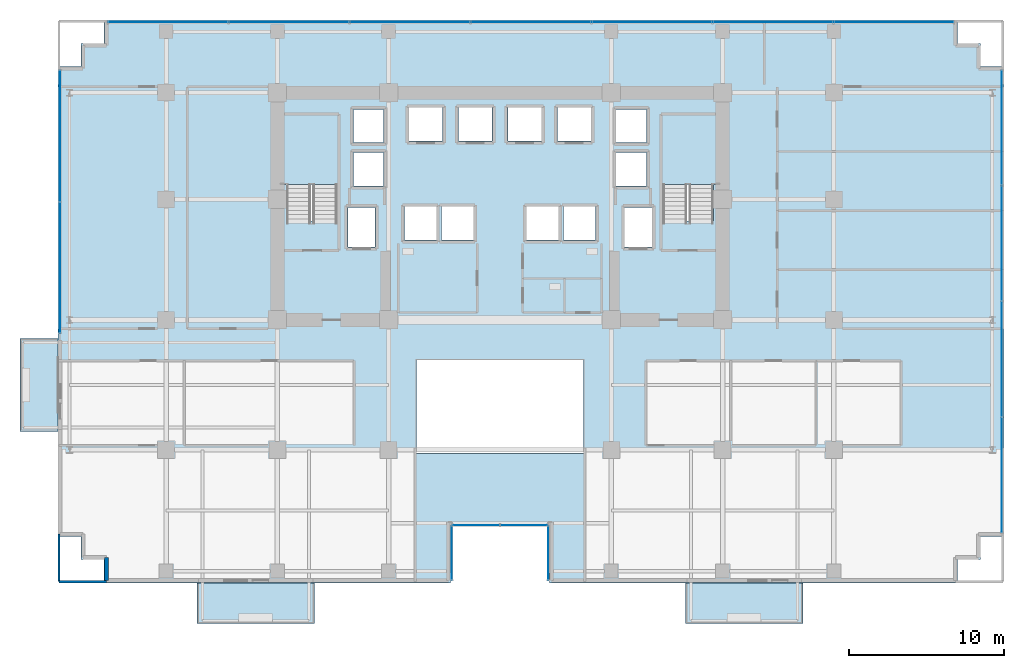
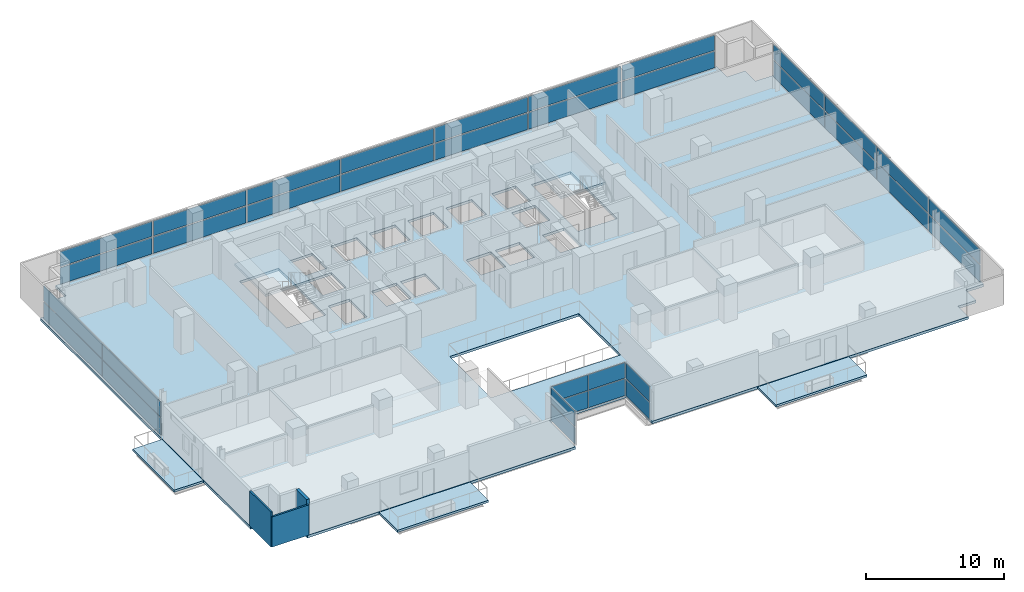
# One storey, part 23 of 32: 34 plates, 6 slabs, 3 walls, 8 elements without a shape of their own.
"""IFC4 building model written with IfcOpenShell, lengths in metres."""

from ifc_helpers import new_model, si_unit, direction, frame, frame_2d, origin, origin_2d, place, context, subcontext, project, spatial, polyline, rectangle, outline, extrude, source, transform, mapped, material, layer, layer_set, type_object, element, aggregate, save


model = new_model("IFC4")

# Units and contexts
model_context = context("Model", 3, precision=1e-05, world=origin(), true_north=direction((0.0, 1.0)))
body_context = subcontext(model_context, "Body", "Model", "MODEL_VIEW")
ifc_project = project(units=[si_unit("LENGTHUNIT", "METRE"), si_unit("AREAUNIT", "SQUARE_METRE"), si_unit("VOLUMEUNIT", "CUBIC_METRE"), si_unit("PLANEANGLEUNIT", "RADIAN"), si_unit("MASSUNIT", "GRAM", prefix="KILO")], contexts=[model_context])

# Site, building, storey
site_placement = place(None, origin())
site = spatial("IfcSite", under=ifc_project, at=site_placement, CompositionType="ELEMENT")
building_placement = place(site_placement, origin())
building = spatial("IfcBuilding", under=site, at=building_placement, Name="Zarnakvel Exchange Tower", CompositionType="ELEMENT")
storey_placement = place(building_placement, frame((0.0, 0.0, 73.60009765625)))
storey = spatial("IfcBuildingStorey", under=building, at=storey_placement, Name="L20", CompositionType="ELEMENT", Elevation=73.60009765625)

# Stair, slab
ifc_material_1 = material(Name="Concrete C40/50", Category="concrete")
stair_type = type_object("IfcStairType", Name="STR-01", PredefinedType="HALF_TURN_STAIR", material=ifc_material_1)
stair_1_placement = place(storey_placement, origin())
stair_1 = element("IfcStair", 1, at=stair_1_placement, inside=storey, type_object=stair_type, Name="L20 Protected Core Exit Stair ST-01", PredefinedType="HALF_TURN_STAIR")
ifc_layer_1 = layer(ifc_material_1, 0.199951171875)
ifc_layer_set_1 = layer_set([ifc_layer_1], Name="Concrete C40/50")
slab_type_1 = type_object("IfcSlabType", Name="LDG-01", PredefinedType="LANDING", material=ifc_layer_set_1)
slab_1_placement = place(storey_placement, frame((0.0, 0.0, 1.449951171875)))
slab_1 = element("IfcSlab", 2, at=slab_1_placement, type_object=slab_type_1, Name="ST-01 landing 1", PredefinedType="LANDING", context=body_context, shape_type="SweptSolid", body=[
    extrude(outline(polyline([(-14.18994140625, 7.570068359375), (-10.4599609375, 7.570068359375), (-10.4599609375, 12.080078125), (-14.18994140625, 12.080078125), (-14.18994140625, 7.570068359375)])), origin(), (0.0, 0.0, 1.0), 0.199951171875),
])
aggregate(stair_1, [slab_1])

stair_2_placement = place(storey_placement, origin())
stair_2 = element("IfcStair", 3, at=stair_2_placement, inside=storey, type_object=stair_type, Name="L20 Protected Core Exit Stair ST-02", PredefinedType="HALF_TURN_STAIR")
slab_2_placement = place(storey_placement, frame((0.0, 0.0, 1.449951171875)))
slab_2 = element("IfcSlab", 4, at=slab_2_placement, type_object=slab_type_1, Name="ST-02 landing 1", PredefinedType="LANDING", context=body_context, shape_type="SweptSolid", body=[
    extrude(outline(polyline([(10.4599609375, 7.570068359375), (14.18994140625, 7.570068359375), (14.18994140625, 12.080078125), (10.4599609375, 12.080078125), (10.4599609375, 7.570068359375)])), origin(), (0.0, 0.0, 1.0), 0.199951171875),
])
aggregate(stair_2, [slab_2])

# Slabs
ifc_layer_2 = layer(ifc_material_1, 0.22509765625)
ifc_layer_set_2 = layer_set([ifc_layer_2], Name="Concrete C40/50")
slab_type_2 = type_object("IfcSlabType", Name="SL-04", PredefinedType="FLOOR", material=ifc_layer_set_2)
slab_3_placement = place(storey_placement, frame((0.0, 0.0, -0.22509765625)))
element("IfcSlab", 5, at=slab_3_placement, inside=storey, type_object=slab_type_2, Name="L20 Primary Structural Floor Slab", PredefinedType="FLOOR", context=body_context, shape_type="SweptSolid", body=[
    extrude(outline(polyline([(-28.60009765625, -15.199951171875), (-27.10009765625, -15.199951171875), (-27.10009765625, -16.699951171875), (-25.60009765625, -16.699951171875), (-25.60009765625, -18.199951171875), (-3.199951171875, -18.199951171875), (-3.199951171875, -14.39990234375), (3.199951171875, -14.39990234375), (3.199951171875, -18.199951171875), (29.60009765625, -18.199951171875), (29.60009765625, -16.699951171875), (31.10009765625, -16.699951171875), (31.10009765625, -15.199951171875), (32.60009765625, -15.199951171875), (32.60009765625, 15.199951171875), (31.10009765625, 15.199951171875), (31.10009765625, 16.699951171875), (29.60009765625, 16.699951171875), (29.60009765625, 18.199951171875), (-25.60009765625, 18.199951171875), (-25.60009765625, 16.699951171875), (-27.10009765625, 16.699951171875), (-27.10009765625, 15.199951171875), (-28.60009765625, 15.199951171875), (-28.60009765625, -15.199951171875)]), holes=[polyline([(-5.39990234375, -9.800048828125), (5.39990234375, -9.800048828125), (5.39990234375, -3.800048828125), (-5.39990234375, -3.800048828125), (-5.39990234375, -9.800048828125)]), polyline([(-13.800048828125, 5.2099609375), (-10.5400390625, 5.2099609375), (-10.5400390625, 12.0), (-13.800048828125, 12.0), (-13.800048828125, 5.2099609375)]), polyline([(10.5400390625, 5.2099609375), (13.800048828125, 5.2099609375), (13.800048828125, 12.0), (10.5400390625, 12.0), (10.5400390625, 5.2099609375)]), polyline([(-9.830078125, 3.52001953125), (-8.070068359375, 3.52001953125), (-8.070068359375, 6.080078125), (-9.830078125, 6.080078125), (-9.830078125, 3.52001953125)]), polyline([(8.070068359375, 3.52001953125), (9.830078125, 3.52001953125), (9.830078125, 6.080078125), (8.070068359375, 6.080078125), (8.070068359375, 3.52001953125)]), polyline([(-5.8798828125, 10.3701171875), (-3.719970703125, 10.3701171875), (-3.719970703125, 12.530029296875), (-5.8798828125, 12.530029296875), (-5.8798828125, 10.3701171875)]), polyline([(-2.679931640625, 10.3701171875), (-0.52001953125, 10.3701171875), (-0.52001953125, 12.530029296875), (-2.679931640625, 12.530029296875), (-2.679931640625, 10.3701171875)]), polyline([(0.52001953125, 10.3701171875), (2.679931640625, 10.3701171875), (2.679931640625, 12.530029296875), (0.52001953125, 12.530029296875), (0.52001953125, 10.3701171875)]), polyline([(3.719970703125, 10.3701171875), (5.8798828125, 10.3701171875), (5.8798828125, 12.530029296875), (3.719970703125, 12.530029296875), (3.719970703125, 10.3701171875)]), polyline([(-6.179931640625, 3.969970703125), (-4.1201171875, 3.969970703125), (-4.1201171875, 6.1298828125), (-6.179931640625, 6.1298828125), (-6.179931640625, 3.969970703125)]), polyline([(-3.780029296875, 3.969970703125), (-1.719970703125, 3.969970703125), (-1.719970703125, 6.1298828125), (-3.780029296875, 6.1298828125), (-3.780029296875, 3.969970703125)]), polyline([(1.719970703125, 3.969970703125), (3.780029296875, 3.969970703125), (3.780029296875, 6.1298828125), (1.719970703125, 6.1298828125), (1.719970703125, 3.969970703125)]), polyline([(4.1201171875, 3.969970703125), (6.179931640625, 3.969970703125), (6.179931640625, 6.1298828125), (4.1201171875, 6.1298828125), (4.1201171875, 3.969970703125)]), polyline([(-9.47998046875, 7.469970703125), (-7.52001953125, 7.469970703125), (-7.52001953125, 9.6298828125), (-9.47998046875, 9.6298828125), (-9.47998046875, 7.469970703125)]), polyline([(-9.47998046875, 10.27001953125), (-7.52001953125, 10.27001953125), (-7.52001953125, 12.429931640625), (-9.47998046875, 12.429931640625), (-9.47998046875, 10.27001953125)]), polyline([(7.52001953125, 7.469970703125), (9.47998046875, 7.469970703125), (9.47998046875, 9.6298828125), (7.52001953125, 9.6298828125), (7.52001953125, 7.469970703125)]), polyline([(7.52001953125, 10.27001953125), (9.47998046875, 10.27001953125), (9.47998046875, 12.429931640625), (7.52001953125, 12.429931640625), (7.52001953125, 10.27001953125)])]), origin(), (0.0, 0.0, 1.0), 0.22509765625),
])
ifc_layer_3 = layer(ifc_material_1, 0.18994140625)
ifc_layer_set_3 = layer_set([ifc_layer_3], Name="Concrete C40/50")
slab_type_3 = type_object("IfcSlabType", Name="SL-08", PredefinedType="USERDEFINED", material=ifc_layer_set_3)
slab_4_placement = place(storey_placement, frame((0.0, 0.0, -0.22509765625)))
element("IfcSlab", 6, at=slab_4_placement, inside=storey, type_object=slab_type_3, Name="L20 Planted Loggia Balcony Slab BAL-L20-SW", ObjectType="BALCONY", PredefinedType="USERDEFINED", context=body_context, shape_type="SweptSolid", body=[
    extrude(outline(polyline([(-19.60009765625, -20.85009765625), (-12.0, -20.85009765625), (-12.0, -18.199951171875), (-19.60009765625, -18.199951171875), (-19.60009765625, -20.85009765625)])), origin(), (0.0, 0.0, 1.0), 0.18994140625),
])
slab_5_placement = place(storey_placement, frame((0.0, 0.0, -0.22509765625)))
element("IfcSlab", 7, at=slab_5_placement, inside=storey, type_object=slab_type_3, Name="L20 Planted Loggia Balcony Slab BAL-L20-SE", ObjectType="BALCONY", PredefinedType="USERDEFINED", context=body_context, shape_type="SweptSolid", body=[
    extrude(outline(polyline([(12.0, -20.85009765625), (19.60009765625, -20.85009765625), (19.60009765625, -18.199951171875), (12.0, -18.199951171875), (12.0, -20.85009765625)])), origin(), (0.0, 0.0, 1.0), 0.18994140625),
])
slab_6_placement = place(storey_placement, frame((0.0, 0.0, -0.22509765625)))
element("IfcSlab", 8, at=slab_6_placement, inside=storey, type_object=slab_type_3, Name="L20 Planted Loggia Balcony Slab BAL-L20-W", ObjectType="BALCONY", PredefinedType="USERDEFINED", context=body_context, shape_type="SweptSolid", body=[
    extrude(outline(polyline([(-31.050048828125, -8.39990234375), (-28.60009765625, -8.39990234375), (-28.60009765625, -2.39990234375), (-31.050048828125, -2.39990234375), (-31.050048828125, -8.39990234375)])), origin(), (0.0, 0.0, 1.0), 0.18994140625),
])

# Curtain wall, plate
ifc_material_2 = material(Name="Architectural Bronze Anodised Aluminium", Category="aluminium")
ifc_layer_4 = layer(ifc_material_2, 0.179931640625)
ifc_layer_set_4 = layer_set([ifc_layer_4], Name="Architectural Bronze Anodised Aluminium")
curtain_wall_type_1 = type_object("IfcCurtainWallType", Name="CW-05", PredefinedType="NOTDEFINED", material=ifc_layer_set_4)
curtain_wall_1_placement = place(storey_placement, origin())
curtain_wall_1 = element("IfcCurtainWall", 9, at=curtain_wall_1_placement, inside=storey, type_object=curtain_wall_type_1, Name="L20 Curtain Wall CW-L20-SLW (CW-05)", PredefinedType="NOTDEFINED")
ifc_material_3 = material(Name="Double Low-E Laminated Vision Glass", Category="glass")
ifc_layer_5 = layer(ifc_material_3, 0.02587890625)
ifc_layer_set_5 = layer_set([ifc_layer_5], Name="Double Low-E Laminated Vision Glass")
plate_type_1 = type_object("IfcPlateType", Name="CWP-05", PredefinedType="CURTAIN_PANEL", material=ifc_layer_set_5)
shared_shape_1 = source(origin(), body_context, "Body", "SweptSolid", [
    extrude(rectangle(XDim=3.4599609375, YDim=0.02587890625, at=origin_2d()), origin(), (0.0, 0.0, 1.0), 1.483642578125),
])
plate_1_placement = place(storey_placement, frame((-3.1201171875, -16.280029296875, 0.06982421875), z_axis=(0.0, 0.0, 1.0), x_axis=(0.0, 1.0, 0.0)))
plate_1 = element("IfcPlate", 10, at=plate_1_placement, type_object=plate_type_1, Name="CW-05 panel 1.1", PredefinedType="CURTAIN_PANEL", context=body_context, shape_type="MappedRepresentation", body=[
    mapped(shared_shape_1, transform((0.0, 0.0, 0.0), x_axis=(1.0, 0.0, 0.0), y_axis=(0.0, 1.0, 0.0), z_axis=(0.0, 0.0, 1.0), scale=1.0)),
])

curtain_wall_2_placement = place(storey_placement, origin())
curtain_wall_2 = element("IfcCurtainWall", 11, at=curtain_wall_2_placement, inside=storey, type_object=curtain_wall_type_1, Name="L20 Curtain Wall CW-L20-SLE (CW-05)", PredefinedType="NOTDEFINED")
plate_2_placement = place(storey_placement, frame((3.1201171875, -16.280029296875, 0.06982421875), z_axis=(0.0, 0.0, 1.0), x_axis=(0.0, -1.0, 0.0)))
plate_2 = element("IfcPlate", 12, at=plate_2_placement, type_object=plate_type_1, Name="CW-05 panel 1.1", PredefinedType="CURTAIN_PANEL", context=body_context, shape_type="MappedRepresentation", body=[
    mapped(shared_shape_1, transform((0.0, 0.0, 0.0), x_axis=(1.0, 0.0, 0.0), y_axis=(0.0, 1.0, 0.0), z_axis=(0.0, 0.0, 1.0), scale=1.0)),
])

# Plate
shared_shape_2 = source(origin(), body_context, "Body", "SweptSolid", [
    extrude(rectangle(XDim=3.4599609375, YDim=0.02587890625, at=origin_2d()), origin(), (0.0, 0.0, 1.0), 1.361328125),
])
plate_3_placement = place(storey_placement, frame((-3.1201171875, -16.280029296875, 1.62353515625), z_axis=(0.0, 0.0, 1.0), x_axis=(0.0, 1.0, 0.0)))
plate_3 = element("IfcPlate", 13, at=plate_3_placement, type_object=plate_type_1, Name="CW-05 panel 1.2", PredefinedType="CURTAIN_PANEL", context=body_context, shape_type="MappedRepresentation", body=[
    mapped(shared_shape_2, transform((0.0, 0.0, 0.0), x_axis=(1.0, 0.0, 0.0), y_axis=(0.0, 1.0, 0.0), z_axis=(0.0, 0.0, 1.0), scale=1.0)),
])

aggregate(curtain_wall_1, [plate_1, plate_3])

plate_4_placement = place(storey_placement, frame((3.1201171875, -16.280029296875, 1.62353515625), z_axis=(0.0, 0.0, 1.0), x_axis=(0.0, -1.0, 0.0)))
plate_4 = element("IfcPlate", 14, at=plate_4_placement, type_object=plate_type_1, Name="CW-05 panel 1.2", PredefinedType="CURTAIN_PANEL", context=body_context, shape_type="MappedRepresentation", body=[
    mapped(shared_shape_2, transform((0.0, 0.0, 0.0), x_axis=(1.0, 0.0, 0.0), y_axis=(0.0, 1.0, 0.0), z_axis=(0.0, 0.0, 1.0), scale=1.0)),
])

aggregate(curtain_wall_2, [plate_2, plate_4])

# Curtain wall, plates
curtain_wall_3_placement = place(storey_placement, origin())
curtain_wall_3 = element("IfcCurtainWall", 15, at=curtain_wall_3_placement, inside=storey, type_object=curtain_wall_type_1, Name="L20 Curtain Wall CW-L20-SLB (CW-05)", PredefinedType="NOTDEFINED")
shared_shape_3 = source(origin(), body_context, "Body", "SweptSolid", [
    extrude(rectangle(XDim=3.014892578125, YDim=0.02587890625, at=origin_2d()), origin(), (0.0, 0.0, 1.0), 1.483642578125),
])
plate_5_placement = place(storey_placement, frame((-1.54248046875, -14.47998046875, 0.06982421875), z_axis=(0.0, 0.0, 1.0), x_axis=(1.0, 0.0, 0.0)))
plate_5 = element("IfcPlate", 16, at=plate_5_placement, type_object=plate_type_1, Name="CW-05 panel 1.1", PredefinedType="CURTAIN_PANEL", context=body_context, shape_type="MappedRepresentation", body=[
    mapped(shared_shape_3, transform((0.0, 0.0, 0.0), x_axis=(1.0, 0.0, 0.0), y_axis=(0.0, 1.0, 0.0), z_axis=(0.0, 0.0, 1.0), scale=1.0)),
])
plate_6_placement = place(storey_placement, frame((1.54248046875, -14.47998046875, 0.06982421875), z_axis=(0.0, 0.0, 1.0), x_axis=(1.0, 0.0, 0.0)))
plate_6 = element("IfcPlate", 17, at=plate_6_placement, type_object=plate_type_1, Name="CW-05 panel 2.1", PredefinedType="CURTAIN_PANEL", context=body_context, shape_type="MappedRepresentation", body=[
    mapped(shared_shape_3, transform((0.0, 0.0, 0.0), x_axis=(1.0, 0.0, 0.0), y_axis=(0.0, 1.0, 0.0), z_axis=(0.0, 0.0, 1.0), scale=1.0)),
])
shared_shape_4 = source(origin(), body_context, "Body", "SweptSolid", [
    extrude(rectangle(XDim=3.014892578125, YDim=0.02587890625, at=origin_2d()), origin(), (0.0, 0.0, 1.0), 1.361328125),
])
plate_7_placement = place(storey_placement, frame((-1.54248046875, -14.47998046875, 1.62353515625), z_axis=(0.0, 0.0, 1.0), x_axis=(1.0, 0.0, 0.0)))
plate_7 = element("IfcPlate", 18, at=plate_7_placement, type_object=plate_type_1, Name="CW-05 panel 1.2", PredefinedType="CURTAIN_PANEL", context=body_context, shape_type="MappedRepresentation", body=[
    mapped(shared_shape_4, transform((0.0, 0.0, 0.0), x_axis=(1.0, 0.0, 0.0), y_axis=(0.0, 1.0, 0.0), z_axis=(0.0, 0.0, 1.0), scale=1.0)),
])
plate_8_placement = place(storey_placement, frame((1.54248046875, -14.47998046875, 1.62353515625), z_axis=(0.0, 0.0, 1.0), x_axis=(1.0, 0.0, 0.0)))
plate_8 = element("IfcPlate", 19, at=plate_8_placement, type_object=plate_type_1, Name="CW-05 panel 2.2", PredefinedType="CURTAIN_PANEL", context=body_context, shape_type="MappedRepresentation", body=[
    mapped(shared_shape_4, transform((0.0, 0.0, 0.0), x_axis=(1.0, 0.0, 0.0), y_axis=(0.0, 1.0, 0.0), z_axis=(0.0, 0.0, 1.0), scale=1.0)),
])
aggregate(curtain_wall_3, [plate_5, plate_7, plate_6, plate_8])

ifc_layer_6 = layer(ifc_material_2, 0.239990234375)
ifc_layer_set_6 = layer_set([ifc_layer_6], Name="Architectural Bronze Anodised Aluminium")
curtain_wall_type_2 = type_object("IfcCurtainWallType", Name="CW-02", PredefinedType="NOTDEFINED", material=ifc_layer_set_6)
curtain_wall_4_placement = place(storey_placement, origin())
curtain_wall_4 = element("IfcCurtainWall", 20, at=curtain_wall_4_placement, inside=storey, type_object=curtain_wall_type_2, Name="L20 Curtain Wall CW-L20-N1 (CW-02)", PredefinedType="NOTDEFINED")
ifc_layer_7 = layer(ifc_material_3, 0.031982421875)
ifc_layer_set_7 = layer_set([ifc_layer_7], Name="Double Low-E Laminated Vision Glass")
plate_type_2 = type_object("IfcPlateType", Name="CWP-02", PredefinedType="CURTAIN_PANEL", material=ifc_layer_set_7)
shared_shape_5 = source(origin(), body_context, "Body", "SweptSolid", [
    extrude(rectangle(XDim=7.693603515625, YDim=0.031982421875, at=origin_2d()), origin(), (0.0, 0.0, 1.0), 1.461181640625),
])
plate_9_placement = place(storey_placement, frame((-21.463134765625, 18.06005859375, 0.0849609375), z_axis=(0.0, 0.0, 1.0), x_axis=(1.0, 0.0, 0.0)))
plate_9 = element("IfcPlate", 21, at=plate_9_placement, type_object=plate_type_2, Name="CW-02 panel 1.1", PredefinedType="CURTAIN_PANEL", context=body_context, shape_type="MappedRepresentation", body=[
    mapped(shared_shape_5, transform((0.0, 0.0, 0.0), x_axis=(1.0, 0.0, 0.0), y_axis=(0.0, 1.0, 0.0), z_axis=(0.0, 0.0, 1.0), scale=1.0)),
])
plate_10_placement = place(storey_placement, frame((25.463134765625, 18.06005859375, 0.0849609375), z_axis=(0.0, 0.0, 1.0), x_axis=(1.0, 0.0, 0.0)))
plate_10 = element("IfcPlate", 22, at=plate_10_placement, type_object=plate_type_2, Name="CW-02 panel 7.1", PredefinedType="CURTAIN_PANEL", context=body_context, shape_type="MappedRepresentation", body=[
    mapped(shared_shape_5, transform((0.0, 0.0, 0.0), x_axis=(1.0, 0.0, 0.0), y_axis=(0.0, 1.0, 0.0), z_axis=(0.0, 0.0, 1.0), scale=1.0)),
])
shared_shape_6 = source(origin(), body_context, "Body", "SweptSolid", [
    extrude(rectangle(XDim=7.693603515625, YDim=0.031982421875, at=origin_2d()), origin(), (0.0, 0.0, 1.0), 1.3388671875),
])
plate_11_placement = place(storey_placement, frame((-21.463134765625, 18.06005859375, 1.631103515625), z_axis=(0.0, 0.0, 1.0), x_axis=(1.0, 0.0, 0.0)))
plate_11 = element("IfcPlate", 23, at=plate_11_placement, type_object=plate_type_2, Name="CW-02 panel 1.2", PredefinedType="CURTAIN_PANEL", context=body_context, shape_type="MappedRepresentation", body=[
    mapped(shared_shape_6, transform((0.0, 0.0, 0.0), x_axis=(1.0, 0.0, 0.0), y_axis=(0.0, 1.0, 0.0), z_axis=(0.0, 0.0, 1.0), scale=1.0)),
])
plate_12_placement = place(storey_placement, frame((25.463134765625, 18.06005859375, 1.631103515625), z_axis=(0.0, 0.0, 1.0), x_axis=(1.0, 0.0, 0.0)))
plate_12 = element("IfcPlate", 24, at=plate_12_placement, type_object=plate_type_2, Name="CW-02 panel 7.2", PredefinedType="CURTAIN_PANEL", context=body_context, shape_type="MappedRepresentation", body=[
    mapped(shared_shape_6, transform((0.0, 0.0, 0.0), x_axis=(1.0, 0.0, 0.0), y_axis=(0.0, 1.0, 0.0), z_axis=(0.0, 0.0, 1.0), scale=1.0)),
])
shared_shape_7 = source(origin(), body_context, "Body", "SweptSolid", [
    extrude(rectangle(XDim=7.738525390625, YDim=0.031982421875, at=origin_2d()), origin(), (0.0, 0.0, 1.0), 1.461181640625),
])
plate_13_placement = place(storey_placement, frame((-13.6572265625, 18.06005859375, 0.0849609375), z_axis=(0.0, 0.0, 1.0), x_axis=(1.0, 0.0, 0.0)))
plate_13 = element("IfcPlate", 25, at=plate_13_placement, type_object=plate_type_2, Name="CW-02 panel 2.1", PredefinedType="CURTAIN_PANEL", context=body_context, shape_type="MappedRepresentation", body=[
    mapped(shared_shape_7, transform((0.0, 0.0, 0.0), x_axis=(1.0, 0.0, 0.0), y_axis=(0.0, 1.0, 0.0), z_axis=(0.0, 0.0, 1.0), scale=1.0)),
])
plate_14_placement = place(storey_placement, frame((-5.82861328125, 18.06005859375, 0.0849609375), z_axis=(0.0, 0.0, 1.0), x_axis=(1.0, 0.0, 0.0)))
plate_14 = element("IfcPlate", 26, at=plate_14_placement, type_object=plate_type_2, Name="CW-02 panel 3.1", PredefinedType="CURTAIN_PANEL", context=body_context, shape_type="MappedRepresentation", body=[
    mapped(shared_shape_7, transform((0.0, 0.0, 0.0), x_axis=(1.0, 0.0, 0.0), y_axis=(0.0, 1.0, 0.0), z_axis=(0.0, 0.0, 1.0), scale=1.0)),
])
plate_15_placement = place(storey_placement, frame((2.0, 18.06005859375, 0.0849609375), z_axis=(0.0, 0.0, 1.0), x_axis=(1.0, 0.0, 0.0)))
plate_15 = element("IfcPlate", 27, at=plate_15_placement, type_object=plate_type_2, Name="CW-02 panel 4.1", PredefinedType="CURTAIN_PANEL", context=body_context, shape_type="MappedRepresentation", body=[
    mapped(shared_shape_7, transform((0.0, 0.0, 0.0), x_axis=(1.0, 0.0, 0.0), y_axis=(0.0, 1.0, 0.0), z_axis=(0.0, 0.0, 1.0), scale=1.0)),
])
plate_16_placement = place(storey_placement, frame((9.82861328125, 18.06005859375, 0.0849609375), z_axis=(0.0, 0.0, 1.0), x_axis=(1.0, 0.0, 0.0)))
plate_16 = element("IfcPlate", 28, at=plate_16_placement, type_object=plate_type_2, Name="CW-02 panel 5.1", PredefinedType="CURTAIN_PANEL", context=body_context, shape_type="MappedRepresentation", body=[
    mapped(shared_shape_7, transform((0.0, 0.0, 0.0), x_axis=(1.0, 0.0, 0.0), y_axis=(0.0, 1.0, 0.0), z_axis=(0.0, 0.0, 1.0), scale=1.0)),
])
plate_17_placement = place(storey_placement, frame((17.6572265625, 18.06005859375, 0.0849609375), z_axis=(0.0, 0.0, 1.0), x_axis=(1.0, 0.0, 0.0)))
plate_17 = element("IfcPlate", 29, at=plate_17_placement, type_object=plate_type_2, Name="CW-02 panel 6.1", PredefinedType="CURTAIN_PANEL", context=body_context, shape_type="MappedRepresentation", body=[
    mapped(shared_shape_7, transform((0.0, 0.0, 0.0), x_axis=(1.0, 0.0, 0.0), y_axis=(0.0, 1.0, 0.0), z_axis=(0.0, 0.0, 1.0), scale=1.0)),
])
shared_shape_8 = source(origin(), body_context, "Body", "SweptSolid", [
    extrude(rectangle(XDim=7.738525390625, YDim=0.031982421875, at=origin_2d()), origin(), (0.0, 0.0, 1.0), 1.3388671875),
])
plate_18_placement = place(storey_placement, frame((-13.6572265625, 18.06005859375, 1.631103515625), z_axis=(0.0, 0.0, 1.0), x_axis=(1.0, 0.0, 0.0)))
plate_18 = element("IfcPlate", 30, at=plate_18_placement, type_object=plate_type_2, Name="CW-02 panel 2.2", PredefinedType="CURTAIN_PANEL", context=body_context, shape_type="MappedRepresentation", body=[
    mapped(shared_shape_8, transform((0.0, 0.0, 0.0), x_axis=(1.0, 0.0, 0.0), y_axis=(0.0, 1.0, 0.0), z_axis=(0.0, 0.0, 1.0), scale=1.0)),
])
plate_19_placement = place(storey_placement, frame((-5.82861328125, 18.06005859375, 1.631103515625), z_axis=(0.0, 0.0, 1.0), x_axis=(1.0, 0.0, 0.0)))
plate_19 = element("IfcPlate", 31, at=plate_19_placement, type_object=plate_type_2, Name="CW-02 panel 3.2", PredefinedType="CURTAIN_PANEL", context=body_context, shape_type="MappedRepresentation", body=[
    mapped(shared_shape_8, transform((0.0, 0.0, 0.0), x_axis=(1.0, 0.0, 0.0), y_axis=(0.0, 1.0, 0.0), z_axis=(0.0, 0.0, 1.0), scale=1.0)),
])
plate_20_placement = place(storey_placement, frame((2.0, 18.06005859375, 1.631103515625), z_axis=(0.0, 0.0, 1.0), x_axis=(1.0, 0.0, 0.0)))
plate_20 = element("IfcPlate", 32, at=plate_20_placement, type_object=plate_type_2, Name="CW-02 panel 4.2", PredefinedType="CURTAIN_PANEL", context=body_context, shape_type="MappedRepresentation", body=[
    mapped(shared_shape_8, transform((0.0, 0.0, 0.0), x_axis=(1.0, 0.0, 0.0), y_axis=(0.0, 1.0, 0.0), z_axis=(0.0, 0.0, 1.0), scale=1.0)),
])
plate_21_placement = place(storey_placement, frame((9.82861328125, 18.06005859375, 1.631103515625), z_axis=(0.0, 0.0, 1.0), x_axis=(1.0, 0.0, 0.0)))
plate_21 = element("IfcPlate", 33, at=plate_21_placement, type_object=plate_type_2, Name="CW-02 panel 5.2", PredefinedType="CURTAIN_PANEL", context=body_context, shape_type="MappedRepresentation", body=[
    mapped(shared_shape_8, transform((0.0, 0.0, 0.0), x_axis=(1.0, 0.0, 0.0), y_axis=(0.0, 1.0, 0.0), z_axis=(0.0, 0.0, 1.0), scale=1.0)),
])
plate_22_placement = place(storey_placement, frame((17.6572265625, 18.06005859375, 1.631103515625), z_axis=(0.0, 0.0, 1.0), x_axis=(1.0, 0.0, 0.0)))
plate_22 = element("IfcPlate", 34, at=plate_22_placement, type_object=plate_type_2, Name="CW-02 panel 6.2", PredefinedType="CURTAIN_PANEL", context=body_context, shape_type="MappedRepresentation", body=[
    mapped(shared_shape_8, transform((0.0, 0.0, 0.0), x_axis=(1.0, 0.0, 0.0), y_axis=(0.0, 1.0, 0.0), z_axis=(0.0, 0.0, 1.0), scale=1.0)),
])
aggregate(curtain_wall_4, [plate_9, plate_11, plate_13, plate_18, plate_14, plate_19, plate_15, plate_20, plate_16, plate_21, plate_17, plate_22, plate_10, plate_12])

ifc_layer_8 = layer(ifc_material_2, 0.199951171875)
ifc_layer_set_8 = layer_set([ifc_layer_8], Name="Architectural Bronze Anodised Aluminium")
curtain_wall_type_3 = type_object("IfcCurtainWallType", Name="CW-04", PredefinedType="NOTDEFINED", material=ifc_layer_set_8)
curtain_wall_5_placement = place(storey_placement, origin())
curtain_wall_5 = element("IfcCurtainWall", 35, at=curtain_wall_5_placement, inside=storey, type_object=curtain_wall_type_3, Name="L20 Curtain Wall CW-L20-WN (CW-04)", PredefinedType="NOTDEFINED")
ifc_layer_9 = layer(ifc_material_3, 0.028076171875)
ifc_layer_set_9 = layer_set([ifc_layer_9], Name="Double Low-E Laminated Vision Glass")
plate_type_3 = type_object("IfcPlateType", Name="CWP-04", PredefinedType="CURTAIN_PANEL", material=ifc_layer_set_9)
shared_shape_9 = source(origin(), body_context, "Body", "SweptSolid", [
    extrude(rectangle(XDim=8.4375, YDim=0.028076171875, at=origin_2d()), origin(), (0.0, 0.0, 1.0), 1.47607421875),
])
plate_23_placement = place(storey_placement, frame((-28.4599609375, 2.19384765625, 0.074951171875), z_axis=(0.0, 0.0, 1.0), x_axis=(0.0, 1.0, 0.0)))
plate_23 = element("IfcPlate", 36, at=plate_23_placement, type_object=plate_type_3, Name="CW-04 panel 1.1", PredefinedType="CURTAIN_PANEL", context=body_context, shape_type="MappedRepresentation", body=[
    mapped(shared_shape_9, transform((0.0, 0.0, 0.0), x_axis=(1.0, 0.0, 0.0), y_axis=(0.0, 1.0, 0.0), z_axis=(0.0, 0.0, 1.0), scale=1.0)),
])
plate_24_placement = place(storey_placement, frame((-28.4599609375, 10.706298828125, 0.074951171875), z_axis=(0.0, 0.0, 1.0), x_axis=(0.0, 1.0, 0.0)))
plate_24 = element("IfcPlate", 37, at=plate_24_placement, type_object=plate_type_3, Name="CW-04 panel 2.1", PredefinedType="CURTAIN_PANEL", context=body_context, shape_type="MappedRepresentation", body=[
    mapped(shared_shape_9, transform((0.0, 0.0, 0.0), x_axis=(1.0, 0.0, 0.0), y_axis=(0.0, 1.0, 0.0), z_axis=(0.0, 0.0, 1.0), scale=1.0)),
])
shared_shape_10 = source(origin(), body_context, "Body", "SweptSolid", [
    extrude(rectangle(XDim=8.4375, YDim=0.028076171875, at=origin_2d()), origin(), (0.0, 0.0, 1.0), 1.35400390625),
])
plate_25_placement = place(storey_placement, frame((-28.4599609375, 2.19384765625, 1.6259765625), z_axis=(0.0, 0.0, 1.0), x_axis=(0.0, 1.0, 0.0)))
plate_25 = element("IfcPlate", 38, at=plate_25_placement, type_object=plate_type_3, Name="CW-04 panel 1.2", PredefinedType="CURTAIN_PANEL", context=body_context, shape_type="MappedRepresentation", body=[
    mapped(shared_shape_10, transform((0.0, 0.0, 0.0), x_axis=(1.0, 0.0, 0.0), y_axis=(0.0, 1.0, 0.0), z_axis=(0.0, 0.0, 1.0), scale=1.0)),
])
plate_26_placement = place(storey_placement, frame((-28.4599609375, 10.706298828125, 1.6259765625), z_axis=(0.0, 0.0, 1.0), x_axis=(0.0, 1.0, 0.0)))
plate_26 = element("IfcPlate", 39, at=plate_26_placement, type_object=plate_type_3, Name="CW-04 panel 2.2", PredefinedType="CURTAIN_PANEL", context=body_context, shape_type="MappedRepresentation", body=[
    mapped(shared_shape_10, transform((0.0, 0.0, 0.0), x_axis=(1.0, 0.0, 0.0), y_axis=(0.0, 1.0, 0.0), z_axis=(0.0, 0.0, 1.0), scale=1.0)),
])
aggregate(curtain_wall_5, [plate_23, plate_25, plate_24, plate_26])

curtain_wall_6_placement = place(storey_placement, origin())
curtain_wall_6 = element("IfcCurtainWall", 40, at=curtain_wall_6_placement, inside=storey, type_object=curtain_wall_type_3, Name="L20 Curtain Wall CW-L20-E1 (CW-04)", PredefinedType="NOTDEFINED")
shared_shape_11 = source(origin(), body_context, "Body", "SweptSolid", [
    extrude(rectangle(XDim=7.387451171875, YDim=0.028076171875, at=origin_2d()), origin(), (0.0, 0.0, 1.0), 1.47607421875),
])
plate_27_placement = place(storey_placement, frame((32.4599609375, -11.231201171875, 0.074951171875), z_axis=(0.0, 0.0, 1.0), x_axis=(0.0, 1.0, 0.0)))
plate_27 = element("IfcPlate", 41, at=plate_27_placement, type_object=plate_type_3, Name="CW-04 panel 1.1", PredefinedType="CURTAIN_PANEL", context=body_context, shape_type="MappedRepresentation", body=[
    mapped(shared_shape_11, transform((0.0, 0.0, 0.0), x_axis=(1.0, 0.0, 0.0), y_axis=(0.0, 1.0, 0.0), z_axis=(0.0, 0.0, 1.0), scale=1.0)),
])
plate_28_placement = place(storey_placement, frame((32.4599609375, 11.231201171875, 0.074951171875), z_axis=(0.0, 0.0, 1.0), x_axis=(0.0, 1.0, 0.0)))
plate_28 = element("IfcPlate", 42, at=plate_28_placement, type_object=plate_type_3, Name="CW-04 panel 4.1", PredefinedType="CURTAIN_PANEL", context=body_context, shape_type="MappedRepresentation", body=[
    mapped(shared_shape_11, transform((0.0, 0.0, 0.0), x_axis=(1.0, 0.0, 0.0), y_axis=(0.0, 1.0, 0.0), z_axis=(0.0, 0.0, 1.0), scale=1.0)),
])
shared_shape_12 = source(origin(), body_context, "Body", "SweptSolid", [
    extrude(rectangle(XDim=7.387451171875, YDim=0.028076171875, at=origin_2d()), origin(), (0.0, 0.0, 1.0), 1.35400390625),
])
plate_29_placement = place(storey_placement, frame((32.4599609375, -11.231201171875, 1.6259765625), z_axis=(0.0, 0.0, 1.0), x_axis=(0.0, 1.0, 0.0)))
plate_29 = element("IfcPlate", 43, at=plate_29_placement, type_object=plate_type_3, Name="CW-04 panel 1.2", PredefinedType="CURTAIN_PANEL", context=body_context, shape_type="MappedRepresentation", body=[
    mapped(shared_shape_12, transform((0.0, 0.0, 0.0), x_axis=(1.0, 0.0, 0.0), y_axis=(0.0, 1.0, 0.0), z_axis=(0.0, 0.0, 1.0), scale=1.0)),
])
plate_30_placement = place(storey_placement, frame((32.4599609375, 11.231201171875, 1.6259765625), z_axis=(0.0, 0.0, 1.0), x_axis=(0.0, 1.0, 0.0)))
plate_30 = element("IfcPlate", 44, at=plate_30_placement, type_object=plate_type_3, Name="CW-04 panel 4.2", PredefinedType="CURTAIN_PANEL", context=body_context, shape_type="MappedRepresentation", body=[
    mapped(shared_shape_12, transform((0.0, 0.0, 0.0), x_axis=(1.0, 0.0, 0.0), y_axis=(0.0, 1.0, 0.0), z_axis=(0.0, 0.0, 1.0), scale=1.0)),
])
shared_shape_13 = source(origin(), body_context, "Body", "SweptSolid", [
    extrude(rectangle(XDim=7.425048828125, YDim=0.028076171875, at=origin_2d()), origin(), (0.0, 0.0, 1.0), 1.47607421875),
])
plate_31_placement = place(storey_placement, frame((32.4599609375, -3.75, 0.074951171875), z_axis=(0.0, 0.0, 1.0), x_axis=(0.0, 1.0, 0.0)))
plate_31 = element("IfcPlate", 45, at=plate_31_placement, type_object=plate_type_3, Name="CW-04 panel 2.1", PredefinedType="CURTAIN_PANEL", context=body_context, shape_type="MappedRepresentation", body=[
    mapped(shared_shape_13, transform((0.0, 0.0, 0.0), x_axis=(1.0, 0.0, 0.0), y_axis=(0.0, 1.0, 0.0), z_axis=(0.0, 0.0, 1.0), scale=1.0)),
])
plate_32_placement = place(storey_placement, frame((32.4599609375, 3.75, 0.074951171875), z_axis=(0.0, 0.0, 1.0), x_axis=(0.0, 1.0, 0.0)))
plate_32 = element("IfcPlate", 46, at=plate_32_placement, type_object=plate_type_3, Name="CW-04 panel 3.1", PredefinedType="CURTAIN_PANEL", context=body_context, shape_type="MappedRepresentation", body=[
    mapped(shared_shape_13, transform((0.0, 0.0, 0.0), x_axis=(1.0, 0.0, 0.0), y_axis=(0.0, 1.0, 0.0), z_axis=(0.0, 0.0, 1.0), scale=1.0)),
])
shared_shape_14 = source(origin(), body_context, "Body", "SweptSolid", [
    extrude(rectangle(XDim=7.425048828125, YDim=0.028076171875, at=origin_2d()), origin(), (0.0, 0.0, 1.0), 1.35400390625),
])
plate_33_placement = place(storey_placement, frame((32.4599609375, -3.75, 1.6259765625), z_axis=(0.0, 0.0, 1.0), x_axis=(0.0, 1.0, 0.0)))
plate_33 = element("IfcPlate", 47, at=plate_33_placement, type_object=plate_type_3, Name="CW-04 panel 2.2", PredefinedType="CURTAIN_PANEL", context=body_context, shape_type="MappedRepresentation", body=[
    mapped(shared_shape_14, transform((0.0, 0.0, 0.0), x_axis=(1.0, 0.0, 0.0), y_axis=(0.0, 1.0, 0.0), z_axis=(0.0, 0.0, 1.0), scale=1.0)),
])
plate_34_placement = place(storey_placement, frame((32.4599609375, 3.75, 1.6259765625), z_axis=(0.0, 0.0, 1.0), x_axis=(0.0, 1.0, 0.0)))
plate_34 = element("IfcPlate", 48, at=plate_34_placement, type_object=plate_type_3, Name="CW-04 panel 3.2", PredefinedType="CURTAIN_PANEL", context=body_context, shape_type="MappedRepresentation", body=[
    mapped(shared_shape_14, transform((0.0, 0.0, 0.0), x_axis=(1.0, 0.0, 0.0), y_axis=(0.0, 1.0, 0.0), z_axis=(0.0, 0.0, 1.0), scale=1.0)),
])
aggregate(curtain_wall_6, [plate_27, plate_29, plate_31, plate_33, plate_32, plate_34, plate_28, plate_30])

# Walls
ifc_material_4 = material(Name="Precast concrete C40/50", Category="concrete")
ifc_layer_10 = layer(ifc_material_4, 0.239990234375)
ifc_layer_set_10 = layer_set([ifc_layer_10], Name="Precast concrete C40/50")
wall_type_1 = type_object("IfcWallType", Name="EW-02", PredefinedType="SOLIDWALL", material=ifc_layer_set_10)
wall_1_placement = place(storey_placement, frame((-25.4599609375, -16.56005859375, 0.0), z_axis=(0.0, 0.0, 1.0), x_axis=(0.0, -1.0, 0.0)))
element("IfcWall", 49, at=wall_1_placement, inside=storey, type_object=wall_type_1, Name="L20 Exterior Precast Spandrel Wall EWC-L20-23 (EW-02)", PredefinedType="SOLIDWALL", context=body_context, shape_type="SweptSolid", body=[
    extrude(rectangle(XDim=1.5, YDim=0.239990234375, at=frame_2d((0.75, 0.0))), origin(), (0.0, 0.0, 1.0), 3.074951171875),
])
ifc_material_5 = material(Name="Fire-Rated Gypsum Stud Partition", Category="gypsum")
ifc_layer_11 = layer(ifc_material_5, 0.14990234375)
ifc_layer_set_11 = layer_set([ifc_layer_11], Name="Fire-Rated Gypsum Stud Partition")
wall_type_2 = type_object("IfcWallType", Name="PT-01", PredefinedType="PARTITIONING", material=ifc_layer_set_11)
wall_2_placement = place(storey_placement, frame((-25.4599609375, -18.1298828125, 0.0), z_axis=(0.0, 0.0, 1.0), x_axis=(-1.0, 0.0, 0.0)))
element("IfcWall", 50, at=wall_2_placement, inside=storey, type_object=wall_type_2, Name="L20 Partition Wall PWALL-L20-029 (PT-01)", PredefinedType="PARTITIONING", context=body_context, shape_type="SweptSolid", body=[
    extrude(rectangle(XDim=3.070068359375, YDim=0.14990234375, at=frame_2d((1.53515625, 0.0))), origin(), (0.0, 0.0, 1.0), 2.664794921875),
])
wall_3_placement = place(storey_placement, frame((-28.530029296875, -18.1298828125, 0.0), z_axis=(0.0, 0.0, 1.0), x_axis=(0.0, 1.0, 0.0)))
element("IfcWall", 51, at=wall_3_placement, inside=storey, type_object=wall_type_2, Name="L20 Partition Wall PWALL-L20-030 (PT-01)", PredefinedType="PARTITIONING", context=body_context, shape_type="SweptSolid", body=[
    extrude(rectangle(XDim=3.06982421875, YDim=0.14990234375, at=frame_2d((1.534912109375, 0.0))), origin(), (0.0, 0.0, 1.0), 3.074951171875),
])

save(model, "model.ifc")
